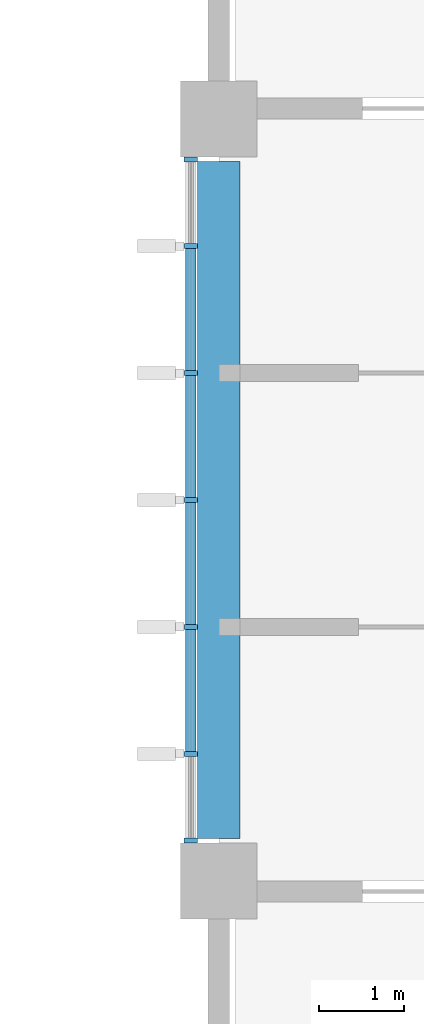
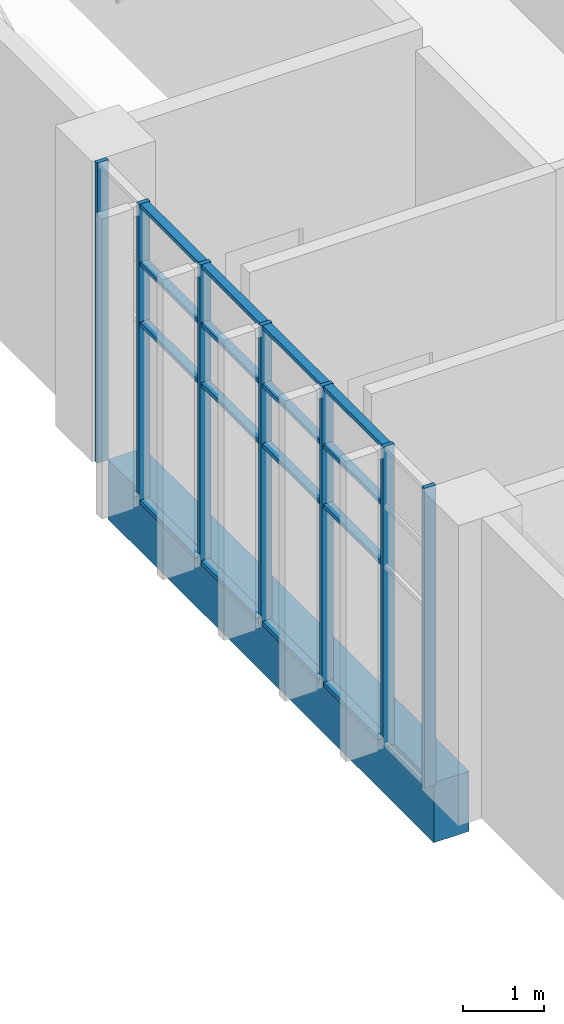
# One storey, part 8 of 106: 23 members, 1 beam, 1 element without a shape of its own.
"""IFC4 building model written with IfcOpenShell, lengths in metres."""

from ifc_helpers import new_model, si_unit, direction, frame, origin, origin_2d, place, context, subcontext, project, spatial, rectangle, extrude, material, layer, layer_set, material_profile, profile_set, type_object, element, aggregate, save


model = new_model("IFC4")

# Units and contexts
model_context = context("Model", 3, precision=1e-05, world=origin(), true_north=direction((0.0, 1.0)))
body_context = subcontext(model_context, "Body", "Model", "MODEL_VIEW")
ifc_project = project(units=[si_unit("LENGTHUNIT", "METRE"), si_unit("AREAUNIT", "SQUARE_METRE"), si_unit("VOLUMEUNIT", "CUBIC_METRE"), si_unit("PLANEANGLEUNIT", "RADIAN"), si_unit("MASSUNIT", "GRAM", prefix="KILO")], contexts=[model_context])

# Site, building, storey
site_placement = place(None, origin())
site = spatial("IfcSite", under=ifc_project, at=site_placement, CompositionType="ELEMENT")
building_placement = place(site_placement, origin())
building = spatial("IfcBuilding", under=site, at=building_placement, Name="Guidao Yard Department Store", CompositionType="ELEMENT")
storey_placement = place(building_placement, frame((0.0, 0.0, 10.5)))
storey = spatial("IfcBuildingStorey", under=building, at=storey_placement, Name="L02", CompositionType="ELEMENT", Elevation=10.5)

# Curtain wall, members
ifc_material_1 = material(Name="Aluminium and glass", Category="aluminium")
ifc_layer = layer(ifc_material_1, 0.159912109375)
ifc_layer_set = layer_set([ifc_layer], Name="Unitised curtain wall CW4 1500 module")
curtain_wall_type = type_object("IfcCurtainWallType", Name="Unitised curtain wall CW4 1500 module", PredefinedType="NOTDEFINED", material=ifc_layer_set)
curtain_wall_placement = place(storey_placement, origin())
curtain_wall = element("IfcCurtainWall", 1, at=curtain_wall_placement, inside=storey, type_object=curtain_wall_type, Name="Unitised curtain wall", PredefinedType="NOTDEFINED")
ifc_material_2 = material(Name="Aluminium 6063-T5", Category="aluminium")
ifc_material_profile_1 = material_profile(ifc_material_2, rectangle(XDim=0.06005859375, YDim=0.159912109375, at=origin_2d()), Name="Mullion M1 60 x 160 aluminium pressure plate")
ifc_profile_set_1 = profile_set([ifc_material_profile_1], Name="Aluminium 6063-T5")
member_type_1 = type_object("IfcMemberType", Name="Mullion M1 60 x 160 aluminium pressure plate", PredefinedType="MULLION", material=ifc_profile_set_1)
member_1_placement = place(storey_placement, frame((125.669921875, 9.47998046875, 0.0), z_axis=(0.0, 0.0, 1.0), x_axis=(0.0, 1.0, 0.0)))
member_1 = element("IfcMember", 2, at=member_1_placement, type_object=member_type_1, Name="CW-OW-L02-05 mullion 1", PredefinedType="MULLION", context=body_context, shape_type="SweptSolid", body=[
    extrude(rectangle(XDim=0.06005859375, YDim=0.159912109375, at=origin_2d()), origin(), (0.0, 0.0, 1.0), 4.5),
])
member_2_placement = place(storey_placement, frame((125.669921875, 10.5, 0.0), z_axis=(0.0, 0.0, 1.0), x_axis=(0.0, 1.0, 0.0)))
member_2 = element("IfcMember", 3, at=member_2_placement, type_object=member_type_1, Name="CW-OW-L02-05 mullion 2", PredefinedType="MULLION", context=body_context, shape_type="SweptSolid", body=[
    extrude(rectangle(XDim=0.06005859375, YDim=0.159912109375, at=origin_2d()), origin(), (0.0, 0.0, 1.0), 4.5),
])
member_3_placement = place(storey_placement, frame((125.669921875, 12.0, 0.0), z_axis=(0.0, 0.0, 1.0), x_axis=(0.0, 1.0, 0.0)))
member_3 = element("IfcMember", 4, at=member_3_placement, type_object=member_type_1, Name="CW-OW-L02-05 mullion 3", PredefinedType="MULLION", context=body_context, shape_type="SweptSolid", body=[
    extrude(rectangle(XDim=0.06005859375, YDim=0.159912109375, at=origin_2d()), origin(), (0.0, 0.0, 1.0), 4.5),
])
member_4_placement = place(storey_placement, frame((125.669921875, 13.5, 0.0), z_axis=(0.0, 0.0, 1.0), x_axis=(0.0, 1.0, 0.0)))
member_4 = element("IfcMember", 5, at=member_4_placement, type_object=member_type_1, Name="CW-OW-L02-05 mullion 4", PredefinedType="MULLION", context=body_context, shape_type="SweptSolid", body=[
    extrude(rectangle(XDim=0.06005859375, YDim=0.159912109375, at=origin_2d()), origin(), (0.0, 0.0, 1.0), 4.5),
])
member_5_placement = place(storey_placement, frame((125.669921875, 15.0, 0.0), z_axis=(0.0, 0.0, 1.0), x_axis=(0.0, 1.0, 0.0)))
member_5 = element("IfcMember", 6, at=member_5_placement, type_object=member_type_1, Name="CW-OW-L02-05 mullion 5", PredefinedType="MULLION", context=body_context, shape_type="SweptSolid", body=[
    extrude(rectangle(XDim=0.06005859375, YDim=0.159912109375, at=origin_2d()), origin(), (0.0, 0.0, 1.0), 4.5),
])
member_6_placement = place(storey_placement, frame((125.669921875, 16.5, 0.0), z_axis=(0.0, 0.0, 1.0), x_axis=(0.0, 1.0, 0.0)))
member_6 = element("IfcMember", 7, at=member_6_placement, type_object=member_type_1, Name="CW-OW-L02-05 mullion 6", PredefinedType="MULLION", context=body_context, shape_type="SweptSolid", body=[
    extrude(rectangle(XDim=0.06005859375, YDim=0.159912109375, at=origin_2d()), origin(), (0.0, 0.0, 1.0), 4.5),
])
member_7_placement = place(storey_placement, frame((125.669921875, 17.52001953125, 0.0), z_axis=(0.0, 0.0, 1.0), x_axis=(0.0, 1.0, 0.0)))
member_7 = element("IfcMember", 8, at=member_7_placement, type_object=member_type_1, Name="CW-OW-L02-05 mullion 7", PredefinedType="MULLION", context=body_context, shape_type="SweptSolid", body=[
    extrude(rectangle(XDim=0.06005859375, YDim=0.159912109375, at=origin_2d()), origin(), (0.0, 0.0, 1.0), 4.5),
])

# Beam
ifc_material_3 = material(Name="Concrete C40", Category="concrete")
ifc_material_profile_2 = material_profile(ifc_material_3, rectangle(XDim=0.5, YDim=0.89990234375, at=origin_2d()), Name="Spandrel beam 500 x 900 C40")
ifc_profile_set_2 = profile_set([ifc_material_profile_2], Name="Concrete C40")
beam_type = type_object("IfcBeamType", Name="Spandrel beam 500 x 900 C40", PredefinedType="SPANDREL", material=ifc_profile_set_2)
beam_placement = place(storey_placement, frame((126.0, 9.5, -0.449951171875), z_axis=(0.0, 1.0, 0.0), x_axis=(-1.0, 0.0, 0.0)))
element("IfcBeam", 9, at=beam_placement, inside=storey, type_object=beam_type, Name="Beam FB04", PredefinedType="SPANDREL", context=body_context, shape_type="SweptSolid", body=[
    extrude(rectangle(XDim=0.5, YDim=0.89990234375, at=origin_2d()), origin(), (0.0, 0.0, 1.0), 8.0),
])

# Member
ifc_material_4 = material(Name="Aluminium 6063-T5", Category="aluminium")
ifc_material_profile_3 = material_profile(ifc_material_4, rectangle(XDim=0.1201171875, YDim=0.06005859375, at=origin_2d()), Name="Transom T1 60 x 120 aluminium pressure plate")
ifc_profile_set_3 = profile_set([ifc_material_profile_3], Name="Aluminium 6063-T5")
member_type_2 = type_object("IfcMemberType", Name="Transom T1 60 x 120 aluminium pressure plate", PredefinedType="USERDEFINED", material=ifc_profile_set_3)
member_8_placement = place(storey_placement, frame((125.669921875, 10.530029296875, 0.030029296875), z_axis=(0.0, 1.0, 0.0), x_axis=(-1.0, 0.0, 0.0)))
member_8 = element("IfcMember", 10, at=member_8_placement, type_object=member_type_2, Name="CW-OW-L02-05 transom 2.1", ObjectType="TRANSOM", PredefinedType="USERDEFINED", context=body_context, shape_type="SweptSolid", body=[
    extrude(rectangle(XDim=0.1201171875, YDim=0.06005859375, at=origin_2d()), origin(), (0.0, 0.0, 1.0), 1.43994140625),
])

member_9_placement = place(storey_placement, frame((125.669921875, 10.530029296875, 2.699951171875), z_axis=(0.0, 1.0, 0.0), x_axis=(-1.0, 0.0, 0.0)))
member_9 = element("IfcMember", 11, at=member_9_placement, type_object=member_type_2, Name="CW-OW-L02-05 transom 2.2", ObjectType="TRANSOM", PredefinedType="USERDEFINED", context=body_context, shape_type="SweptSolid", body=[
    extrude(rectangle(XDim=0.1201171875, YDim=0.06005859375, at=origin_2d()), origin(), (0.0, 0.0, 1.0), 1.43994140625),
])

member_10_placement = place(storey_placement, frame((125.669921875, 10.530029296875, 3.60009765625), z_axis=(0.0, 1.0, 0.0), x_axis=(-1.0, 0.0, 0.0)))
member_10 = element("IfcMember", 12, at=member_10_placement, type_object=member_type_2, Name="CW-OW-L02-05 transom 2.3", ObjectType="TRANSOM", PredefinedType="USERDEFINED", context=body_context, shape_type="SweptSolid", body=[
    extrude(rectangle(XDim=0.1201171875, YDim=0.06005859375, at=origin_2d()), origin(), (0.0, 0.0, 1.0), 1.43994140625),
])

member_11_placement = place(storey_placement, frame((125.669921875, 10.530029296875, 4.469970703125), z_axis=(0.0, 1.0, 0.0), x_axis=(-1.0, 0.0, 0.0)))
member_11 = element("IfcMember", 13, at=member_11_placement, type_object=member_type_2, Name="CW-OW-L02-05 transom 2.4", ObjectType="TRANSOM", PredefinedType="USERDEFINED", context=body_context, shape_type="SweptSolid", body=[
    extrude(rectangle(XDim=0.1201171875, YDim=0.06005859375, at=origin_2d()), origin(), (0.0, 0.0, 1.0), 1.43994140625),
])

member_12_placement = place(storey_placement, frame((125.669921875, 12.030029296875, 0.030029296875), z_axis=(0.0, 1.0, 0.0), x_axis=(-1.0, 0.0, 0.0)))
member_12 = element("IfcMember", 14, at=member_12_placement, type_object=member_type_2, Name="CW-OW-L02-05 transom 3.1", ObjectType="TRANSOM", PredefinedType="USERDEFINED", context=body_context, shape_type="SweptSolid", body=[
    extrude(rectangle(XDim=0.1201171875, YDim=0.06005859375, at=origin_2d()), origin(), (0.0, 0.0, 1.0), 1.43994140625),
])

member_13_placement = place(storey_placement, frame((125.669921875, 12.030029296875, 2.699951171875), z_axis=(0.0, 1.0, 0.0), x_axis=(-1.0, 0.0, 0.0)))
member_13 = element("IfcMember", 15, at=member_13_placement, type_object=member_type_2, Name="CW-OW-L02-05 transom 3.2", ObjectType="TRANSOM", PredefinedType="USERDEFINED", context=body_context, shape_type="SweptSolid", body=[
    extrude(rectangle(XDim=0.1201171875, YDim=0.06005859375, at=origin_2d()), origin(), (0.0, 0.0, 1.0), 1.43994140625),
])

member_14_placement = place(storey_placement, frame((125.669921875, 12.030029296875, 3.60009765625), z_axis=(0.0, 1.0, 0.0), x_axis=(-1.0, 0.0, 0.0)))
member_14 = element("IfcMember", 16, at=member_14_placement, type_object=member_type_2, Name="CW-OW-L02-05 transom 3.3", ObjectType="TRANSOM", PredefinedType="USERDEFINED", context=body_context, shape_type="SweptSolid", body=[
    extrude(rectangle(XDim=0.1201171875, YDim=0.06005859375, at=origin_2d()), origin(), (0.0, 0.0, 1.0), 1.43994140625),
])

member_15_placement = place(storey_placement, frame((125.669921875, 12.030029296875, 4.469970703125), z_axis=(0.0, 1.0, 0.0), x_axis=(-1.0, 0.0, 0.0)))
member_15 = element("IfcMember", 17, at=member_15_placement, type_object=member_type_2, Name="CW-OW-L02-05 transom 3.4", ObjectType="TRANSOM", PredefinedType="USERDEFINED", context=body_context, shape_type="SweptSolid", body=[
    extrude(rectangle(XDim=0.1201171875, YDim=0.06005859375, at=origin_2d()), origin(), (0.0, 0.0, 1.0), 1.43994140625),
])

member_16_placement = place(storey_placement, frame((125.669921875, 13.530029296875, 0.030029296875), z_axis=(0.0, 1.0, 0.0), x_axis=(-1.0, 0.0, 0.0)))
member_16 = element("IfcMember", 18, at=member_16_placement, type_object=member_type_2, Name="CW-OW-L02-05 transom 4.1", ObjectType="TRANSOM", PredefinedType="USERDEFINED", context=body_context, shape_type="SweptSolid", body=[
    extrude(rectangle(XDim=0.1201171875, YDim=0.06005859375, at=origin_2d()), origin(), (0.0, 0.0, 1.0), 1.43994140625),
])

member_17_placement = place(storey_placement, frame((125.669921875, 13.530029296875, 2.699951171875), z_axis=(0.0, 1.0, 0.0), x_axis=(-1.0, 0.0, 0.0)))
member_17 = element("IfcMember", 19, at=member_17_placement, type_object=member_type_2, Name="CW-OW-L02-05 transom 4.2", ObjectType="TRANSOM", PredefinedType="USERDEFINED", context=body_context, shape_type="SweptSolid", body=[
    extrude(rectangle(XDim=0.1201171875, YDim=0.06005859375, at=origin_2d()), origin(), (0.0, 0.0, 1.0), 1.43994140625),
])

member_18_placement = place(storey_placement, frame((125.669921875, 13.530029296875, 3.60009765625), z_axis=(0.0, 1.0, 0.0), x_axis=(-1.0, 0.0, 0.0)))
member_18 = element("IfcMember", 20, at=member_18_placement, type_object=member_type_2, Name="CW-OW-L02-05 transom 4.3", ObjectType="TRANSOM", PredefinedType="USERDEFINED", context=body_context, shape_type="SweptSolid", body=[
    extrude(rectangle(XDim=0.1201171875, YDim=0.06005859375, at=origin_2d()), origin(), (0.0, 0.0, 1.0), 1.43994140625),
])

member_19_placement = place(storey_placement, frame((125.669921875, 13.530029296875, 4.469970703125), z_axis=(0.0, 1.0, 0.0), x_axis=(-1.0, 0.0, 0.0)))
member_19 = element("IfcMember", 21, at=member_19_placement, type_object=member_type_2, Name="CW-OW-L02-05 transom 4.4", ObjectType="TRANSOM", PredefinedType="USERDEFINED", context=body_context, shape_type="SweptSolid", body=[
    extrude(rectangle(XDim=0.1201171875, YDim=0.06005859375, at=origin_2d()), origin(), (0.0, 0.0, 1.0), 1.43994140625),
])

member_20_placement = place(storey_placement, frame((125.669921875, 15.030029296875, 0.030029296875), z_axis=(0.0, 1.0, 0.0), x_axis=(-1.0, 0.0, 0.0)))
member_20 = element("IfcMember", 22, at=member_20_placement, type_object=member_type_2, Name="CW-OW-L02-05 transom 5.1", ObjectType="TRANSOM", PredefinedType="USERDEFINED", context=body_context, shape_type="SweptSolid", body=[
    extrude(rectangle(XDim=0.1201171875, YDim=0.06005859375, at=origin_2d()), origin(), (0.0, 0.0, 1.0), 1.43994140625),
])

member_21_placement = place(storey_placement, frame((125.669921875, 15.030029296875, 2.699951171875), z_axis=(0.0, 1.0, 0.0), x_axis=(-1.0, 0.0, 0.0)))
member_21 = element("IfcMember", 23, at=member_21_placement, type_object=member_type_2, Name="CW-OW-L02-05 transom 5.2", ObjectType="TRANSOM", PredefinedType="USERDEFINED", context=body_context, shape_type="SweptSolid", body=[
    extrude(rectangle(XDim=0.1201171875, YDim=0.06005859375, at=origin_2d()), origin(), (0.0, 0.0, 1.0), 1.43994140625),
])

member_22_placement = place(storey_placement, frame((125.669921875, 15.030029296875, 3.60009765625), z_axis=(0.0, 1.0, 0.0), x_axis=(-1.0, 0.0, 0.0)))
member_22 = element("IfcMember", 24, at=member_22_placement, type_object=member_type_2, Name="CW-OW-L02-05 transom 5.3", ObjectType="TRANSOM", PredefinedType="USERDEFINED", context=body_context, shape_type="SweptSolid", body=[
    extrude(rectangle(XDim=0.1201171875, YDim=0.06005859375, at=origin_2d()), origin(), (0.0, 0.0, 1.0), 1.43994140625),
])

member_23_placement = place(storey_placement, frame((125.669921875, 15.030029296875, 4.469970703125), z_axis=(0.0, 1.0, 0.0), x_axis=(-1.0, 0.0, 0.0)))
member_23 = element("IfcMember", 25, at=member_23_placement, type_object=member_type_2, Name="CW-OW-L02-05 transom 5.4", ObjectType="TRANSOM", PredefinedType="USERDEFINED", context=body_context, shape_type="SweptSolid", body=[
    extrude(rectangle(XDim=0.1201171875, YDim=0.06005859375, at=origin_2d()), origin(), (0.0, 0.0, 1.0), 1.43994140625),
])

aggregate(curtain_wall, [member_1, member_2, member_3, member_4, member_5, member_6, member_7, member_8, member_9, member_10, member_11, member_12, member_13, member_14, member_15, member_16, member_17, member_18, member_19, member_20, member_21, member_22, member_23])

save(model, "model.ifc")
